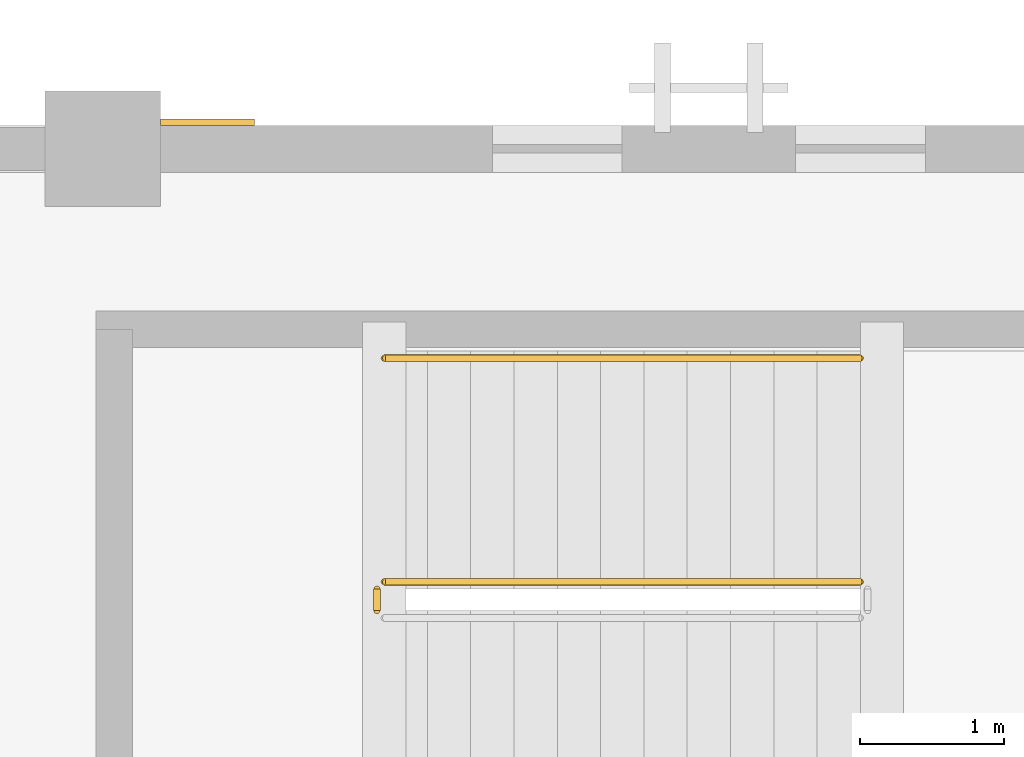
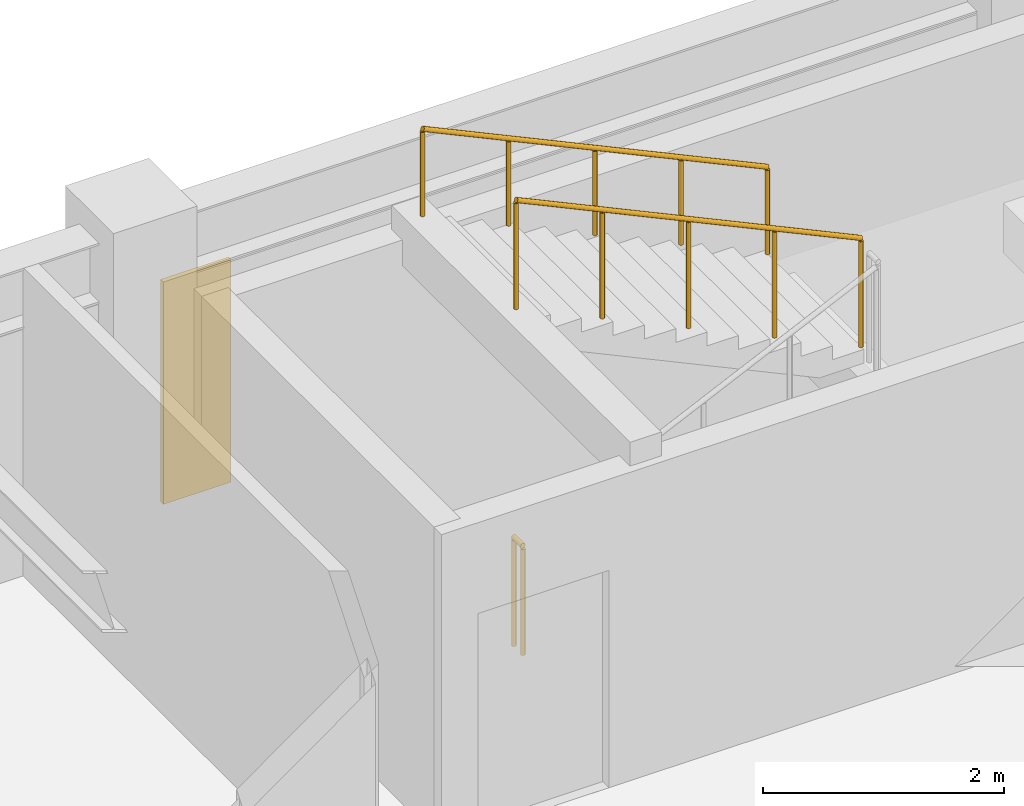
# One storey, part 112 of 123: 3 railings, 1 covering.
"""IFC4 building model written with IfcOpenShell, lengths in metres."""

from ifc_helpers import new_model, si_unit, direction, frame, origin, origin_2d, place, context, subcontext, project, spatial, polyline, circle, outline, extrude, material, layer, layer_set, type_object, element, save


model = new_model("IFC4")

# Units and contexts
model_context = context("Model", 3, precision=1e-05, world=origin(), true_north=direction((0.0, 1.0)))
body_context = subcontext(model_context, "Body", "Model", "MODEL_VIEW")
ifc_project = project(units=[si_unit("LENGTHUNIT", "METRE"), si_unit("AREAUNIT", "SQUARE_METRE"), si_unit("VOLUMEUNIT", "CUBIC_METRE"), si_unit("PLANEANGLEUNIT", "RADIAN"), si_unit("MASSUNIT", "GRAM", prefix="KILO")], contexts=[model_context])

# Site, building, storey
site_placement = place(None, origin())
site = spatial("IfcSite", under=ifc_project, at=site_placement, CompositionType="ELEMENT")
building_placement = place(site_placement, origin())
building = spatial("IfcBuilding", under=site, at=building_placement, Name="Cumbredor Promenade Congress Hotel", CompositionType="ELEMENT")
storey_placement = place(building_placement, frame((0.0, 0.0, 11.760009765625)))
storey = spatial("IfcBuildingStorey", under=building, at=storey_placement, Name="L03", CompositionType="ELEMENT", Elevation=11.760009765625)

# Covering
ifc_material_1 = material(Name="Precast concrete C40/50", Category="concrete")
ifc_layer = layer(ifc_material_1, 0.044921875, Name="Precast concrete C40/50", Category="concrete")
ifc_layer_set = layer_set([ifc_layer], Name="Precast concrete C40/50")
covering_type = type_object("IfcCoveringType", Name="Board-Formed Architectural Cladding Panel 45mm", PredefinedType="CLADDING", material=ifc_layer_set)
covering_placement = place(storey_placement, origin())
element("IfcCovering", 1, at=covering_placement, inside=storey, type_object=covering_type, Name="L03 Facade Stone Cladding Pier 136", PredefinedType="CLADDING", context=body_context, shape_type="SweptSolid", body=[
    extrude(outline(polyline([(59.200927734375, 67.362548828125), (59.85107421875, 67.362548828125), (59.85107421875, 67.407470703125), (59.200927734375, 67.407470703125), (59.200927734375, 67.362548828125)])), origin(), (0.0, 0.0, 1.0), 2.25),
])

# Railings
ifc_material_2 = material(Name="Brushed stainless steel", Category="steel")
railing_type_1 = type_object("IfcRailingType", Name="Interior Void & Stair Guardrail GR-1100", PredefinedType="GUARDRAIL", material=ifc_material_2)
railing_1_placement = place(storey_placement, frame((64.050048828125, 64.199951171875, 1.820068359375)))
element("IfcRailing", 2, at=railing_1_placement, inside=storey, type_object=railing_type_1, Name="L03 ST-07 stair guard 3", PredefinedType="GUARDRAIL", context=body_context, shape_type="SweptSolid", body=[
    extrude(circle(Radius=0.02392578125, at=origin_2d()), frame((0.0, 0.0, 1.09619140625), z_axis=(-0.906181427284, 0.0, 0.422889135408), x_axis=(0.0, -1.0, 0.0)), (0.0, 0.0, 1.0), 3.6416015625),
    extrude(circle(Radius=0.02099609375, at=origin_2d()), origin(), (0.0, 0.0, 1.0), 1.072021484375),
    extrude(circle(Radius=0.02099609375, at=origin_2d()), frame((-0.824951171875, 0.0, 0.385009765625)), (0.0, 0.0, 1.0), 1.072021484375),
    extrude(circle(Radius=0.02099609375, at=origin_2d()), frame((-1.64990234375, 0.0, 0.77001953125)), (0.0, 0.0, 1.0), 1.072021484375),
    extrude(circle(Radius=0.02099609375, at=origin_2d()), frame((-2.47509765625, 0.0, 1.155029296875)), (0.0, 0.0, 1.0), 1.072021484375),
    extrude(circle(Radius=0.02099609375, at=origin_2d()), frame((-3.300048828125, 0.0, 1.5400390625)), (0.0, 0.0, 1.0), 1.072021484375),
])
railing_2_placement = place(storey_placement, frame((60.699951171875, 64.0, 0.0)))
element("IfcRailing", 3, at=railing_2_placement, inside=storey, type_object=railing_type_1, Name="L03 ST-07 stair guard 4", PredefinedType="GUARDRAIL", context=body_context, shape_type="SweptSolid", body=[
    extrude(circle(Radius=0.02392578125, at=origin_2d()), frame((0.0, 0.0, 1.09619140625), z_axis=(0.0, 1.0, 0.0), x_axis=(-1.0, 0.0, 0.0)), (0.0, 0.0, 1.0), 0.14990234375),
    extrude(circle(Radius=0.02099609375, at=origin_2d()), origin(), (0.0, 0.0, 1.0), 1.072021484375),
    extrude(circle(Radius=0.02099609375, at=origin_2d()), frame((0.0, 0.14990234375, 0.0)), (0.0, 0.0, 1.0), 1.072021484375),
])
railing_type_2 = type_object("IfcRailingType", Name="Stair Pitch Handrail HR-900", PredefinedType="HANDRAIL", material=ifc_material_2)
railing_3_placement = place(storey_placement, frame((64.050048828125, 65.75, 1.820068359375)))
element("IfcRailing", 4, at=railing_3_placement, inside=storey, type_object=railing_type_2, Name="L03 ST-07 stair handrail 2", PredefinedType="HANDRAIL", context=body_context, shape_type="SweptSolid", body=[
    extrude(circle(Radius=0.02392578125, at=origin_2d()), frame((0.0, 0.0, 0.8759765625), z_axis=(-0.906181427284, 0.0, 0.422889135408), x_axis=(0.0, -1.0, 0.0)), (0.0, 0.0, 1.0), 3.6416015625),
    extrude(circle(Radius=0.02099609375, at=origin_2d()), origin(), (0.0, 0.0, 1.0), 0.851806640625),
    extrude(circle(Radius=0.02099609375, at=origin_2d()), frame((-0.824951171875, 0.0, 0.385009765625)), (0.0, 0.0, 1.0), 0.851806640625),
    extrude(circle(Radius=0.02099609375, at=origin_2d()), frame((-1.64990234375, 0.0, 0.77001953125)), (0.0, 0.0, 1.0), 0.851806640625),
    extrude(circle(Radius=0.02099609375, at=origin_2d()), frame((-2.47509765625, 0.0, 1.155029296875)), (0.0, 0.0, 1.0), 0.851806640625),
    extrude(circle(Radius=0.02099609375, at=origin_2d()), frame((-3.300048828125, 0.0, 1.5400390625)), (0.0, 0.0, 1.0), 0.851806640625),
])

save(model, "model.ifc")
